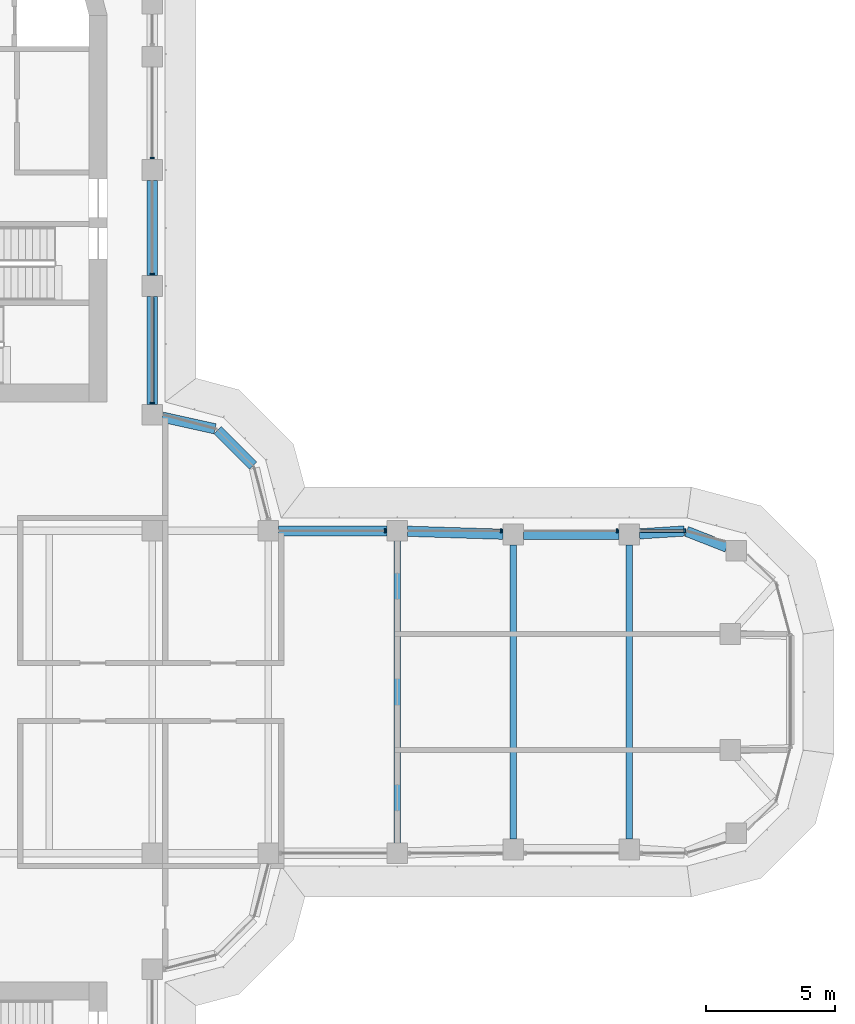
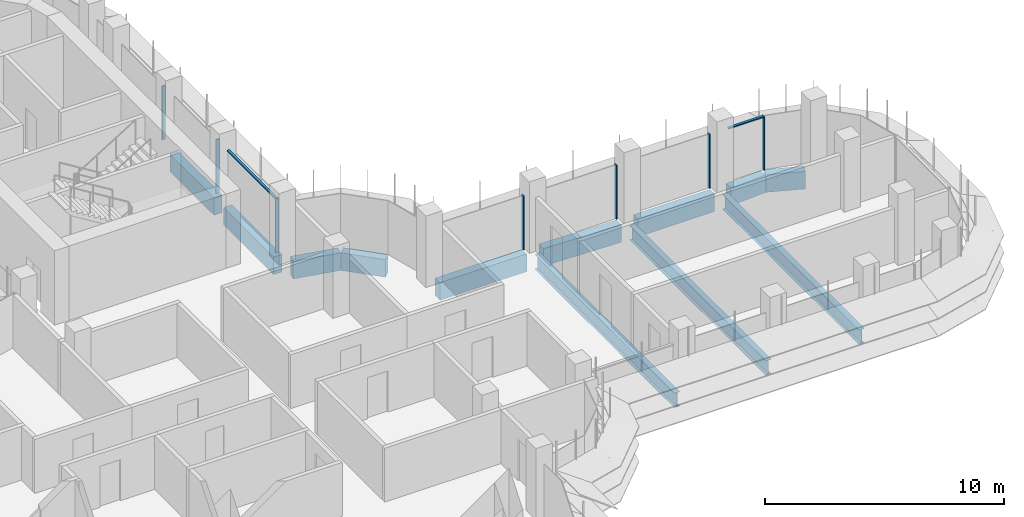
# One storey, part 8 of 19: 12 beams, 9 members, 2 elements without a shape of their own.
"""IFC4 building model written with IfcOpenShell, lengths in metres."""

from ifc_helpers import new_model, si_unit, direction, frame, origin, origin_2d, place, context, subcontext, project, spatial, polyline, rectangle, i_section, outline, extrude, source, transform, mapped, material, material_profile, profile_set, type_object, element, aggregate, save


model = new_model("IFC4")

# Units and contexts
model_context = context("Model", 3, precision=1e-05, world=origin(), true_north=direction((0.0, 1.0)))
body_context = subcontext(model_context, "Body", "Model", "MODEL_VIEW")
ifc_project = project(units=[si_unit("LENGTHUNIT", "METRE"), si_unit("AREAUNIT", "SQUARE_METRE"), si_unit("VOLUMEUNIT", "CUBIC_METRE"), si_unit("PLANEANGLEUNIT", "RADIAN"), si_unit("MASSUNIT", "GRAM", prefix="KILO")], contexts=[model_context])

# Site, building, storey
site_placement = place(None, origin())
site = spatial("IfcSite", under=ifc_project, at=site_placement, CompositionType="ELEMENT")
building_placement = place(site_placement, origin())
building = spatial("IfcBuilding", under=site, at=building_placement, Name="Zarbagh Exchange Tower", CompositionType="ELEMENT")
storey_placement = place(building_placement, frame((0.0, 0.0, 175.199951171875)))
storey = spatial("IfcBuildingStorey", under=building, at=storey_placement, Name="L42", CompositionType="ELEMENT", Elevation=175.199951171875)

# Beams
ifc_material_1 = material(Name="Steel ASTM A992 Gr 50", Category="steel")
ifc_material_profile_1 = material_profile(ifc_material_1, i_section(OverallWidth=0.26416015625, OverallDepth=0.749267578125, WebThickness=0.011962890625, FlangeThickness=0.015380859375, at=origin_2d()), Name="W30X90")
ifc_profile_set_1 = profile_set([ifc_material_profile_1], Name="Steel ASTM A992 Gr 50")
beam_type_1 = type_object("IfcBeamType", Name="Floor beam W30X90", PredefinedType="BEAM", material=ifc_profile_set_1)
beam_1_placement = place(storey_placement, frame((15.75, -5.85009765625, -0.524658203125), z_axis=(0.0, 1.0, 0.0), x_axis=(-1.0, 0.0, 0.0)))
element("IfcBeam", 1, at=beam_1_placement, inside=storey, type_object=beam_type_1, Name="Steel floor beam", PredefinedType="BEAM", context=body_context, shape_type="SweptSolid", body=[
    extrude(i_section(OverallWidth=0.26416015625, OverallDepth=0.749267578125, WebThickness=0.011962890625, FlangeThickness=0.015380859375, at=origin_2d()), origin(), (0.0, 0.0, 1.0), 11.7001953125),
])
for number, where, z_axis, x_axis, name in (
    (2, (20.25, -5.7099609375, -0.524658203125), (0.0, 1.0, 0.0), (-1.0, 0.0, 0.0), "Steel floor beam"),
    (3, (24.75, -5.7099609375, -0.524658203125), (0.0, 1.0, 0.0), (-1.0, 0.0, 0.0), "Steel floor beam"),
):
    element("IfcBeam", number, at=place(storey_placement, frame(where, z_axis=z_axis, x_axis=x_axis)), inside=storey, type_object=beam_type_1, Name=name, PredefinedType="BEAM", context=body_context, shape_type="SweptSolid", body=[
        extrude(i_section(OverallWidth=0.26416015625, OverallDepth=0.749267578125, WebThickness=0.011962890625, FlangeThickness=0.015380859375, at=origin_2d()), origin(), (0.0, 0.0, 1.0), 11.419921875),
    ])
ifc_material_2 = material(Name="Concrete C50/60", Category="concrete")
ifc_material_profile_2 = material_profile(ifc_material_2, rectangle(XDim=0.39990234375, YDim=0.89990234375, at=origin_2d()), Name="RC spandrel beam 400 x 900 C50/60")
ifc_profile_set_2 = profile_set([ifc_material_profile_2], Name="Concrete C50/60")
beam_type_2 = type_object("IfcBeamType", Name="RC spandrel beam 400 x 900 C50/60", PredefinedType="SPANDREL", material=ifc_profile_set_2)
beam_2_placement = place(storey_placement, frame((6.25, 19.85009765625, -0.599853515625), z_axis=(0.0, -1.0, 0.0), x_axis=(1.0, 0.0, 0.0)))
element("IfcBeam", 4, at=beam_2_placement, inside=storey, type_object=beam_type_2, Name="RC spandrel beam", PredefinedType="SPANDREL", context=body_context, shape_type="SweptSolid", body=[
    extrude(rectangle(XDim=0.39990234375, YDim=0.89990234375, at=origin_2d()), origin(), (0.0, 0.0, 1.0), 3.7001953125),
])
beam_3_placement = place(storey_placement, frame((6.25, 15.35009765625, -0.599853515625), z_axis=(0.0, -1.0, 0.0), x_axis=(1.0, 0.0, 0.0)))
element("IfcBeam", 5, at=beam_3_placement, inside=storey, type_object=beam_type_2, Name="RC spandrel beam", PredefinedType="SPANDREL", context=body_context, shape_type="SweptSolid", body=[
    extrude(rectangle(XDim=0.39990234375, YDim=0.89990234375, at=origin_2d()), origin(), (0.0, 0.0, 1.0), 4.2001953125),
])
beam_4_placement = place(storey_placement, frame((6.640625, 10.66357421875, -0.599853515625), z_axis=(0.976384278741, -0.216041061437, 0.0), x_axis=(0.216041061437, 0.976384278741, 0.0)))
element("IfcBeam", 6, at=beam_4_placement, inside=storey, type_object=beam_type_2, Name="RC spandrel beam", PredefinedType="SPANDREL", context=body_context, shape_type="SweptSolid", body=[
    extrude(rectangle(XDim=0.39990234375, YDim=0.89990234375, at=origin_2d()), origin(), (0.0, 0.0, 1.0), 2.0927734375),
])
beam_5_placement = place(storey_placement, frame((8.782470703125, 10.15771484375, -0.599853515625), z_axis=(0.707106781187, -0.707106781187, 0.0), x_axis=(0.707106781187, 0.707106781187, 0.0)))
element("IfcBeam", 7, at=beam_5_placement, inside=storey, type_object=beam_type_2, Name="RC spandrel beam", PredefinedType="SPANDREL", context=body_context, shape_type="SweptSolid", body=[
    extrude(rectangle(XDim=0.39990234375, YDim=0.89990234375, at=origin_2d()), origin(), (0.0, 0.0, 1.0), 1.94482421875),
])
beam_6_placement = place(storey_placement, frame((11.14990234375, 6.25, -0.599853515625), z_axis=(1.0, 0.0, 0.0), x_axis=(0.0, 1.0, 0.0)))
element("IfcBeam", 8, at=beam_6_placement, inside=storey, type_object=beam_type_2, Name="RC spandrel beam", PredefinedType="SPANDREL", context=body_context, shape_type="SweptSolid", body=[
    extrude(rectangle(XDim=0.39990234375, YDim=0.89990234375, at=origin_2d()), origin(), (0.0, 0.0, 1.0), 4.2001953125),
])
beam_7_placement = place(storey_placement, frame((16.14990234375, 6.237548828125, -0.599853515625), z_axis=(0.999515416033, -0.031127690444, 0.0), x_axis=(0.031127690444, 0.999515416033, 0.0)))
element("IfcBeam", 9, at=beam_7_placement, inside=storey, type_object=beam_type_2, Name="RC spandrel beam", PredefinedType="SPANDREL", context=body_context, shape_type="SweptSolid", body=[
    extrude(rectangle(XDim=0.39990234375, YDim=0.89990234375, at=origin_2d()), origin(), (0.0, 0.0, 1.0), 3.701904296875),
])
beam_8_placement = place(storey_placement, frame((20.64990234375, 6.110107421875, -0.599853515625), z_axis=(1.0, 0.0, 0.0), x_axis=(0.0, 1.0, 0.0)))
element("IfcBeam", 10, at=beam_8_placement, inside=storey, type_object=beam_type_2, Name="RC spandrel beam", PredefinedType="SPANDREL", context=body_context, shape_type="SweptSolid", body=[
    extrude(rectangle(XDim=0.39990234375, YDim=0.89990234375, at=origin_2d()), origin(), (0.0, 0.0, 1.0), 3.7001953125),
])
beam_9_placement = place(storey_placement, frame((25.149169921875, 6.135498046875, -0.599853515625), z_axis=(0.997942679773, 0.064112462805, 0.0), x_axis=(-0.064112462805, 0.997942679773, 0.0)))
element("IfcBeam", 11, at=beam_9_placement, inside=storey, type_object=beam_type_2, Name="RC spandrel beam", PredefinedType="SPANDREL", context=body_context, shape_type="SweptSolid", body=[
    extrude(rectangle(XDim=0.39990234375, YDim=0.89990234375, at=origin_2d()), origin(), (0.0, 0.0, 1.0), 1.744140625),
])
beam_10_placement = place(storey_placement, frame((26.9755859375, 6.233642578125, -0.599853515625), z_axis=(0.930818758612, -0.36548110569, 0.0), x_axis=(0.36548110569, 0.930818758612, 0.0)))
element("IfcBeam", 12, at=beam_10_placement, inside=storey, type_object=beam_type_2, Name="RC spandrel beam", PredefinedType="SPANDREL", context=body_context, shape_type="SweptSolid", body=[
    extrude(rectangle(XDim=0.39990234375, YDim=0.89990234375, at=origin_2d()), origin(), (0.0, 0.0, 1.0), 1.676025390625),
])

# Curtain wall, members
ifc_material_3 = material(Name="Anodised aluminium frame and glazing", Category="aluminium")
curtain_wall_type = type_object("IfcCurtainWallType", Name="CWB Ribbon glazing, upper zones", PredefinedType="NOTDEFINED", material=ifc_material_3)
curtain_wall_1_placement = place(storey_placement, origin())
curtain_wall_1 = element("IfcCurtainWall", 13, at=curtain_wall_1_placement, inside=storey, type_object=curtain_wall_type, Name="CWB16 curtain wall", PredefinedType="NOTDEFINED")
ifc_material_4 = material(Name="Anodised aluminium frame", Category="aluminium")
member_type_1 = type_object("IfcMemberType", Name="TRB Transom, anodised aluminium frame", PredefinedType="USERDEFINED", material=ifc_material_4)
shared_shape_1 = source(origin(), body_context, "Body", "SweptSolid", [
    extrude(outline(polyline([(-0.06005859375, -0.06005859375), (0.0, -0.06005859375), (0.0, 0.06005859375), (-0.06005859375, 0.06005859375), (-0.06005859375, -0.06005859375)])), origin(), (0.0, 0.0, 1.0), 1.68408203125),
])
placement = place(storey_placement, origin())
member_1 = element("IfcMember", 14, at=placement, type_object=member_type_1, Name="CWB16 transom 1.1", ObjectType="TRANSOM", PredefinedType="USERDEFINED", context=body_context, shape_type="MappedRepresentation", body=[
    mapped(shared_shape_1, transform((26.874267578125, 6.25, 2.75), x_axis=(0.0, 0.0, 1.0), y_axis=(0.0, 1.0, 0.0), z_axis=(-1.0, 0.0, 0.0))),
])
member_type_2 = type_object("IfcMemberType", Name="MUB Mullion, anodised aluminium frame", PredefinedType="MULLION", material=ifc_material_4)
shared_shape_2 = source(origin(), body_context, "Body", "SweptSolid", [
    extrude(outline(polyline([(0.0, -0.080078125), (0.06005859375, -0.080078125), (0.06005859375, 0.080078125), (0.0, 0.080078125), (0.0, -0.080078125)])), origin(), (0.0, 0.0, 1.0), 2.75),
])
member_2 = element("IfcMember", 15, at=placement, type_object=member_type_2, Name="CWB16 mullion 1.1", PredefinedType="MULLION", context=body_context, shape_type="MappedRepresentation", body=[
    mapped(shared_shape_2, transform((26.93408203125, 6.25, 0.0), x_axis=(-1.0, 0.0, 0.0), y_axis=(0.0, -1.0, 0.0), z_axis=(0.0, 0.0, 1.0))),
])
member_3 = element("IfcMember", 16, at=placement, type_object=member_type_2, Name="CWB16 mullion 2.1", PredefinedType="MULLION", context=body_context, shape_type="MappedRepresentation", body=[
    mapped(shared_shape_2, transform((24.31005859375, 6.25, 0.0), x_axis=(-1.0, 0.0, 0.0), y_axis=(0.0, -1.0, 0.0), z_axis=(0.0, 0.0, 1.0))),
])
member_4 = element("IfcMember", 17, at=placement, type_object=member_type_2, Name="CWB16 mullion 3.1", PredefinedType="MULLION", context=body_context, shape_type="MappedRepresentation", body=[
    mapped(shared_shape_2, transform((19.81005859375, 6.25, 0.0), x_axis=(-1.0, 0.0, 0.0), y_axis=(0.0, -1.0, 0.0), z_axis=(0.0, 0.0, 1.0))),
])
member_5 = element("IfcMember", 18, at=placement, type_object=member_type_2, Name="CWB16 mullion 4.1", PredefinedType="MULLION", context=body_context, shape_type="MappedRepresentation", body=[
    mapped(shared_shape_2, transform((15.31005859375, 6.25, 0.0), x_axis=(-1.0, 0.0, 0.0), y_axis=(0.0, -1.0, 0.0), z_axis=(0.0, 0.0, 1.0))),
])
aggregate(curtain_wall_1, [member_2, member_1, member_3, member_4, member_5])

curtain_wall_2_placement = place(storey_placement, origin())
curtain_wall_2 = element("IfcCurtainWall", 19, at=curtain_wall_2_placement, inside=storey, type_object=curtain_wall_type, Name="CWB20 curtain wall", PredefinedType="NOTDEFINED")
member_6 = element("IfcMember", 20, at=placement, type_object=member_type_2, Name="CWB20 mullion 1.1", PredefinedType="MULLION", context=body_context, shape_type="MappedRepresentation", body=[
    mapped(shared_shape_2, transform((6.25, 11.18994140625, 0.0), x_axis=(0.0, 1.0, 0.0), y_axis=(-1.0, 0.0, 0.0), z_axis=(0.0, 0.0, 1.0))),
])
member_7 = element("IfcMember", 21, at=placement, type_object=member_type_2, Name="CWB20 mullion 2.1", PredefinedType="MULLION", context=body_context, shape_type="MappedRepresentation", body=[
    mapped(shared_shape_2, transform((6.25, 16.18994140625, 0.0), x_axis=(0.0, 1.0, 0.0), y_axis=(-1.0, 0.0, 0.0), z_axis=(0.0, 0.0, 1.0))),
])
member_8 = element("IfcMember", 22, at=placement, type_object=member_type_2, Name="CWB20 mullion 3.1", PredefinedType="MULLION", context=body_context, shape_type="MappedRepresentation", body=[
    mapped(shared_shape_2, transform((6.25, 20.68994140625, 0.0), x_axis=(0.0, 1.0, 0.0), y_axis=(-1.0, 0.0, 0.0), z_axis=(0.0, 0.0, 1.0))),
])
shared_shape_3 = source(origin(), body_context, "Body", "SweptSolid", [
    extrude(outline(polyline([(-0.06005859375, -0.06005859375), (0.0, -0.06005859375), (0.0, 0.06005859375), (-0.06005859375, 0.06005859375), (-0.06005859375, -0.06005859375)])), origin(), (0.0, 0.0, 1.0), 4.06005859375),
])
member_9 = element("IfcMember", 23, at=placement, type_object=member_type_1, Name="CWB20 transom 1.1", ObjectType="TRANSOM", PredefinedType="USERDEFINED", context=body_context, shape_type="MappedRepresentation", body=[
    mapped(shared_shape_3, transform((6.25, 11.25, 2.75), x_axis=(0.0, 0.0, 1.0), y_axis=(1.0, 0.0, 0.0), z_axis=(0.0, 1.0, 0.0))),
])
aggregate(curtain_wall_2, [member_6, member_9, member_7, member_8])

save(model, "model.ifc")
